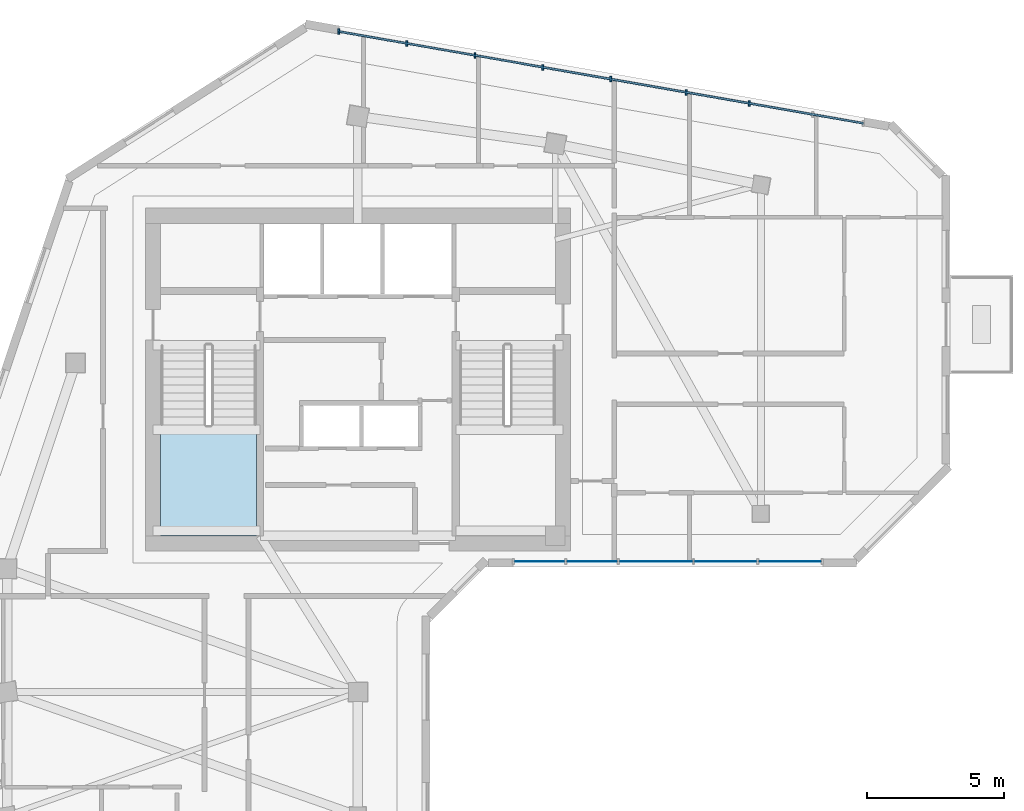
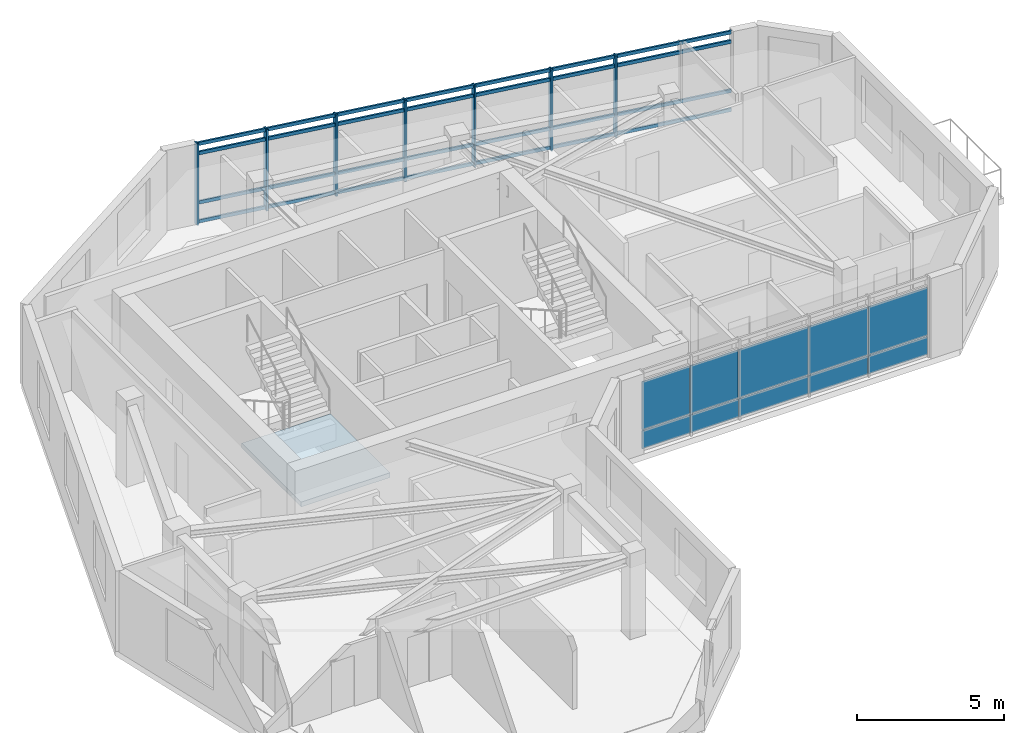
# One storey, part 2 of 9: 11 members, 10 plates, 1 slab, 3 elements without a shape of their own.
"""IFC4 building model written with IfcOpenShell, lengths in metres."""

from ifc_helpers import new_model, si_unit, direction, frame, frame_2d, origin, origin_2d, place, context, subcontext, project, spatial, polyline, rectangle, outline, extrude, source, transform, mapped, material, layer, layer_set, material_profile, profile_set, type_object, element, aggregate, save


model = new_model("IFC4")

# Units and contexts
model_context = context("Model", 3, precision=1e-05, world=origin(), true_north=direction((0.0, 1.0)))
body_context = subcontext(model_context, "Body", "Model", "MODEL_VIEW")
ifc_project = project(units=[si_unit("LENGTHUNIT", "METRE"), si_unit("AREAUNIT", "SQUARE_METRE"), si_unit("VOLUMEUNIT", "CUBIC_METRE"), si_unit("PLANEANGLEUNIT", "RADIAN"), si_unit("MASSUNIT", "GRAM", prefix="KILO")], contexts=[model_context])

# Site, building, storey
site_placement = place(None, origin())
site = spatial("IfcSite", under=ifc_project, at=site_placement, CompositionType="ELEMENT")
building_placement = place(site_placement, origin())
building = spatial("IfcBuilding", under=site, at=building_placement, Name="Calvemar Wedge Station Tower", CompositionType="ELEMENT")
storey_placement = place(building_placement, frame((0.0, 0.0, 263.699951171875)))
storey = spatial("IfcBuildingStorey", under=building, at=storey_placement, Name="L67", CompositionType="ELEMENT", Elevation=263.699951171875)

# Curtain wall, members
ifc_material_1 = material(Name="Anodised aluminium 6063-T6", Category="aluminium")
curtain_wall_type = type_object("IfcCurtainWallType", Name="CW4", PredefinedType="NOTDEFINED", material=ifc_material_1)
curtain_wall_1_placement = place(storey_placement, origin())
curtain_wall_1 = element("IfcCurtainWall", 1, at=curtain_wall_1_placement, inside=storey, type_object=curtain_wall_type, Name="Storey L67 CW4 Recessed Unitised Curtain Wall 10", PredefinedType="NOTDEFINED")
ifc_material_profile_1 = material_profile(ifc_material_1, rectangle(XDim=0.070068359375, YDim=0.139892578125, at=origin_2d()), Name="AL-TRN-70x140")
ifc_profile_set_1 = profile_set([ifc_material_profile_1], Name="Anodised aluminium 6063-T6")
member_type_1 = type_object("IfcMemberType", Name="CW4-TRN", PredefinedType="USERDEFINED", material=ifc_profile_set_1)
shared_shape_1 = source(origin(), body_context, "Body", "SweptSolid", [
    extrude(rectangle(XDim=0.070068359375, YDim=0.139892578125, at=origin_2d()), origin(), (0.0, 0.0, 1.0), 19.41943359375),
])
member_1_placement = place(storey_placement, frame((42.233642578125, 49.246826171875, 0.06005859375), z_axis=(-0.985038151159, 0.172336417399, 0.0), x_axis=(-0.172336417399, -0.985038151159, 0.0)))
member_1 = element("IfcMember", 2, at=member_1_placement, type_object=member_type_1, Name="CW4 transom 1", ObjectType="TRANSOM", PredefinedType="USERDEFINED", context=body_context, shape_type="MappedRepresentation", body=[
    mapped(shared_shape_1, transform((0.0, 0.0, 0.0), scale=1.0)),
])
member_2_placement = place(storey_placement, frame((42.233642578125, 49.246826171875, 0.85009765625), z_axis=(-0.985038151159, 0.172336417399, 0.0), x_axis=(-0.172336417399, -0.985038151159, 0.0)))
member_2 = element("IfcMember", 3, at=member_2_placement, type_object=member_type_1, Name="CW4 transom 2", ObjectType="TRANSOM", PredefinedType="USERDEFINED", context=body_context, shape_type="MappedRepresentation", body=[
    mapped(shared_shape_1, transform((0.0, 0.0, 0.0), scale=1.0)),
])
member_3_placement = place(storey_placement, frame((42.233642578125, 49.246826171875, 2.900146484375), z_axis=(-0.985038151159, 0.172336417399, 0.0), x_axis=(-0.172336417399, -0.985038151159, 0.0)))
member_3 = element("IfcMember", 4, at=member_3_placement, type_object=member_type_1, Name="CW4 transom 3", ObjectType="TRANSOM", PredefinedType="USERDEFINED", context=body_context, shape_type="MappedRepresentation", body=[
    mapped(shared_shape_1, transform((0.0, 0.0, 0.0), scale=1.0)),
])
member_4_placement = place(storey_placement, frame((42.233642578125, 49.246826171875, 3.2900390625), z_axis=(-0.985038151159, 0.172336417399, 0.0), x_axis=(-0.172336417399, -0.985038151159, 0.0)))
member_4 = element("IfcMember", 5, at=member_4_placement, type_object=member_type_1, Name="CW4 transom 4", ObjectType="TRANSOM", PredefinedType="USERDEFINED", context=body_context, shape_type="MappedRepresentation", body=[
    mapped(shared_shape_1, transform((0.0, 0.0, 0.0), scale=1.0)),
])
ifc_material_profile_2 = material_profile(ifc_material_1, rectangle(XDim=0.070068359375, YDim=0.199951171875, at=origin_2d()), Name="AL-MUL-70x200")
ifc_profile_set_2 = profile_set([ifc_material_profile_2], Name="Anodised aluminium 6063-T6")
member_type_2 = type_object("IfcMemberType", Name="CW4-MUL", PredefinedType="MULLION", material=ifc_profile_set_2)
shared_shape_2 = source(origin(), body_context, "Body", "SweptSolid", [
    extrude(rectangle(XDim=0.070068359375, YDim=0.199951171875, at=origin_2d()), origin(), (0.0, 0.0, 1.0), 3.400146484375),
])
member_5_placement = place(storey_placement, frame((38.080078125, 49.9736328125, -0.050048828125), z_axis=(0.0, 0.0, 1.0), x_axis=(1.0, 0.0, 0.0)))
member_5 = element("IfcMember", 6, at=member_5_placement, type_object=member_type_2, Name="CW4 mullion 3", PredefinedType="MULLION", context=body_context, shape_type="MappedRepresentation", body=[
    mapped(shared_shape_2, transform((0.0, 0.0, 0.0), scale=1.0)),
])
member_6_placement = place(storey_placement, frame((35.771484375, 50.37744140625, -0.050048828125), z_axis=(0.0, 0.0, 1.0), x_axis=(1.0, 0.0, 0.0)))
member_6 = element("IfcMember", 7, at=member_6_placement, type_object=member_type_2, Name="CW4 mullion 4", PredefinedType="MULLION", context=body_context, shape_type="MappedRepresentation", body=[
    mapped(shared_shape_2, transform((0.0, 0.0, 0.0), scale=1.0)),
])
member_7_placement = place(storey_placement, frame((33.021484375, 50.8583984375, -0.050048828125), z_axis=(0.0, 0.0, 1.0), x_axis=(1.0, 0.0, 0.0)))
member_7 = element("IfcMember", 8, at=member_7_placement, type_object=member_type_2, Name="CW4 mullion 5", PredefinedType="MULLION", context=body_context, shape_type="MappedRepresentation", body=[
    mapped(shared_shape_2, transform((0.0, 0.0, 0.0), scale=1.0)),
])
member_8_placement = place(storey_placement, frame((30.546630859375, 51.29150390625, -0.050048828125), z_axis=(0.0, 0.0, 1.0), x_axis=(1.0, 0.0, 0.0)))
member_8 = element("IfcMember", 9, at=member_8_placement, type_object=member_type_2, Name="CW4 mullion 6", PredefinedType="MULLION", context=body_context, shape_type="MappedRepresentation", body=[
    mapped(shared_shape_2, transform((0.0, 0.0, 0.0), scale=1.0)),
])
member_9_placement = place(storey_placement, frame((28.071533203125, 51.724609375, -0.050048828125), z_axis=(0.0, 0.0, 1.0), x_axis=(1.0, 0.0, 0.0)))
member_9 = element("IfcMember", 10, at=member_9_placement, type_object=member_type_2, Name="CW4 mullion 7", PredefinedType="MULLION", context=body_context, shape_type="MappedRepresentation", body=[
    mapped(shared_shape_2, transform((0.0, 0.0, 0.0), scale=1.0)),
])
member_10_placement = place(storey_placement, frame((25.588134765625, 52.158935546875, -0.050048828125), z_axis=(0.0, 0.0, 1.0), x_axis=(1.0, 0.0, 0.0)))
member_10 = element("IfcMember", 11, at=member_10_placement, type_object=member_type_2, Name="CW4 mullion 8", PredefinedType="MULLION", context=body_context, shape_type="MappedRepresentation", body=[
    mapped(shared_shape_2, transform((0.0, 0.0, 0.0), scale=1.0)),
])
member_11_placement = place(storey_placement, frame((23.104736328125, 52.593505859375, -0.050048828125), z_axis=(0.0, 0.0, 1.0), x_axis=(1.0, 0.0, 0.0)))
member_11 = element("IfcMember", 12, at=member_11_placement, type_object=member_type_2, Name="CW4 mullion 9", PredefinedType="MULLION", context=body_context, shape_type="MappedRepresentation", body=[
    mapped(shared_shape_2, transform((0.0, 0.0, 0.0), scale=1.0)),
])
aggregate(curtain_wall_1, [member_5, member_6, member_7, member_8, member_9, member_10, member_11, member_1, member_2, member_3, member_4])

# Curtain wall, plates
curtain_wall_2_placement = place(storey_placement, origin())
curtain_wall_2 = element("IfcCurtainWall", 13, at=curtain_wall_2_placement, inside=storey, type_object=curtain_wall_type, Name="Storey L67 CW4 Recessed Unitised Curtain Wall 6", PredefinedType="NOTDEFINED")
ifc_material_2 = material(Name="Low-E laminated insulated glass", Category="glass")
ifc_layer_1 = layer(ifc_material_2, 0.028076171875)
ifc_layer_set_1 = layer_set([ifc_layer_1], Name="Low-E laminated insulated glass")
plate_type_1 = type_object("IfcPlateType", Name="CW4-GLZ", PredefinedType="CURTAIN_PANEL", material=ifc_layer_set_1)
plate_1_placement = place(storey_placement, frame((29.48779296875, 33.26611328125, 0.8701171875), z_axis=(0.0, 0.0, 1.0), x_axis=(1.0, 0.0, 0.0)))
plate_1 = element("IfcPlate", 14, at=plate_1_placement, type_object=plate_type_1, Name="CW4 vision glass panel 1", PredefinedType="CURTAIN_PANEL", context=body_context, shape_type="SweptSolid", body=[
    extrude(rectangle(XDim=1.874267578125, YDim=0.028076171875, at=frame_2d((0.93701171875, 0.0))), origin(), (0.0, 0.0, 1.0), 2.010009765625),
])
plate_2_placement = place(storey_placement, frame((31.39794921875, 33.26611328125, 0.8701171875), z_axis=(0.0, 0.0, 1.0), x_axis=(1.0, 0.0, 0.0)))
plate_2 = element("IfcPlate", 15, at=plate_2_placement, type_object=plate_type_1, Name="CW4 vision glass panel 2", PredefinedType="CURTAIN_PANEL", context=body_context, shape_type="SweptSolid", body=[
    extrude(rectangle(XDim=1.8740234375, YDim=0.028076171875, at=frame_2d((0.93701171875, 0.0))), origin(), (0.0, 0.0, 1.0), 2.010009765625),
])
plate_3_placement = place(storey_placement, frame((33.30810546875, 33.26611328125, 0.8701171875), z_axis=(0.0, 0.0, 1.0), x_axis=(1.0, 0.0, 0.0)))
plate_3 = element("IfcPlate", 16, at=plate_3_placement, type_object=plate_type_1, Name="CW4 vision glass panel 3", PredefinedType="CURTAIN_PANEL", context=body_context, shape_type="SweptSolid", body=[
    extrude(rectangle(XDim=2.7138671875, YDim=0.028076171875, at=frame_2d((1.35693359375, 0.0))), origin(), (0.0, 0.0, 1.0), 2.010009765625),
])
plate_4_placement = place(storey_placement, frame((36.05810546875, 33.26611328125, 0.8701171875), z_axis=(0.0, 0.0, 1.0), x_axis=(1.0, 0.0, 0.0)))
plate_4 = element("IfcPlate", 17, at=plate_4_placement, type_object=plate_type_1, Name="CW4 vision glass panel 4", PredefinedType="CURTAIN_PANEL", context=body_context, shape_type="SweptSolid", body=[
    extrude(rectangle(XDim=2.31298828125, YDim=0.028076171875, at=frame_2d((1.156494140625, 0.0))), origin(), (0.0, 0.0, 1.0), 2.010009765625),
])
plate_5_placement = place(storey_placement, frame((38.406982421875, 33.26611328125, 0.8701171875), z_axis=(0.0, 0.0, 1.0), x_axis=(1.0, 0.0, 0.0)))
plate_5 = element("IfcPlate", 18, at=plate_5_placement, type_object=plate_type_1, Name="CW4 vision glass panel 5", PredefinedType="CURTAIN_PANEL", context=body_context, shape_type="SweptSolid", body=[
    extrude(rectangle(XDim=2.31298828125, YDim=0.028076171875, at=frame_2d((1.156494140625, 0.0))), origin(), (0.0, 0.0, 1.0), 2.010009765625),
])
ifc_material_3 = material(Name="Oxidized bronze aluminium spandrel panel 5005-H24", Category="aluminium")
ifc_layer_2 = layer(ifc_material_3, 0.0400390625)
ifc_layer_set_2 = layer_set([ifc_layer_2], Name="Oxidized bronze aluminium spandrel panel 5005-H24")
plate_type_2 = type_object("IfcPlateType", Name="CW4-SPD", PredefinedType="SHEET", material=ifc_layer_set_2)
plate_6_placement = place(storey_placement, frame((29.48779296875, 33.26611328125, 0.080078125), z_axis=(0.0, 0.0, 1.0), x_axis=(1.0, 0.0, 0.0)))
plate_6 = element("IfcPlate", 19, at=plate_6_placement, type_object=plate_type_2, Name="CW4 bronze spandrel panel 1", PredefinedType="SHEET", context=body_context, shape_type="SweptSolid", body=[
    extrude(rectangle(XDim=1.874267578125, YDim=0.0400390625, at=frame_2d((0.93701171875, 0.0))), origin(), (0.0, 0.0, 1.0), 0.75),
])
plate_7_placement = place(storey_placement, frame((31.39794921875, 33.26611328125, 0.080078125), z_axis=(0.0, 0.0, 1.0), x_axis=(1.0, 0.0, 0.0)))
plate_7 = element("IfcPlate", 20, at=plate_7_placement, type_object=plate_type_2, Name="CW4 bronze spandrel panel 2", PredefinedType="SHEET", context=body_context, shape_type="SweptSolid", body=[
    extrude(rectangle(XDim=1.8740234375, YDim=0.0400390625, at=frame_2d((0.93701171875, 0.0))), origin(), (0.0, 0.0, 1.0), 0.75),
])
plate_8_placement = place(storey_placement, frame((33.30810546875, 33.26611328125, 0.080078125), z_axis=(0.0, 0.0, 1.0), x_axis=(1.0, 0.0, 0.0)))
plate_8 = element("IfcPlate", 21, at=plate_8_placement, type_object=plate_type_2, Name="CW4 bronze spandrel panel 3", PredefinedType="SHEET", context=body_context, shape_type="SweptSolid", body=[
    extrude(rectangle(XDim=2.7138671875, YDim=0.0400390625, at=frame_2d((1.35693359375, 0.0))), origin(), (0.0, 0.0, 1.0), 0.75),
])
plate_9_placement = place(storey_placement, frame((36.05810546875, 33.26611328125, 0.080078125), z_axis=(0.0, 0.0, 1.0), x_axis=(1.0, 0.0, 0.0)))
plate_9 = element("IfcPlate", 22, at=plate_9_placement, type_object=plate_type_2, Name="CW4 bronze spandrel panel 4", PredefinedType="SHEET", context=body_context, shape_type="SweptSolid", body=[
    extrude(rectangle(XDim=2.31298828125, YDim=0.0400390625, at=frame_2d((1.156494140625, 0.0))), origin(), (0.0, 0.0, 1.0), 0.75),
])
plate_10_placement = place(storey_placement, frame((38.406982421875, 33.26611328125, 0.080078125), z_axis=(0.0, 0.0, 1.0), x_axis=(1.0, 0.0, 0.0)))
plate_10 = element("IfcPlate", 23, at=plate_10_placement, type_object=plate_type_2, Name="CW4 bronze spandrel panel 5", PredefinedType="SHEET", context=body_context, shape_type="SweptSolid", body=[
    extrude(rectangle(XDim=2.31298828125, YDim=0.0400390625, at=frame_2d((1.156494140625, 0.0))), origin(), (0.0, 0.0, 1.0), 0.75),
])
aggregate(curtain_wall_2, [plate_6, plate_1, plate_7, plate_2, plate_8, plate_3, plate_9, plate_4, plate_10, plate_5])

# Stair, slab
ifc_material_4 = material(Name="Concrete C45", Category="concrete")
stair_type = type_object("IfcStairType", Name="ST-TYPE-3600", PredefinedType="HALF_TURN_STAIR", material=ifc_material_4)
stair_placement = place(storey_placement, origin())
stair = element("IfcStair", 24, at=stair_placement, inside=storey, type_object=stair_type, Name="L67 Pressurized Core Exit Stair ST-C1", PredefinedType="HALF_TURN_STAIR")
ifc_layer_3 = layer(ifc_material_4, 0.199951171875)
ifc_layer_set_3 = layer_set([ifc_layer_3], Name="Concrete C45")
slab_type = type_object("IfcSlabType", Name="SL-STAIR-LND-200", PredefinedType="LANDING", material=ifc_layer_set_3)
slab_placement = place(storey_placement, frame((0.0, 0.0, 1.60009765625)))
slab = element("IfcSlab", 25, at=slab_placement, type_object=slab_type, Name="ST-C1 landing 1", PredefinedType="LANDING", context=body_context, shape_type="SweptSolid", body=[
    extrude(outline(polyline([(16.60009765625, 38.25), (16.60009765625, 34.199951171875), (20.10009765625, 34.199951171875), (20.10009765625, 38.25), (16.60009765625, 38.25)])), origin(), (0.0, 0.0, 1.0), 0.199951171875),
])
aggregate(stair, [slab])

save(model, "model.ifc")
